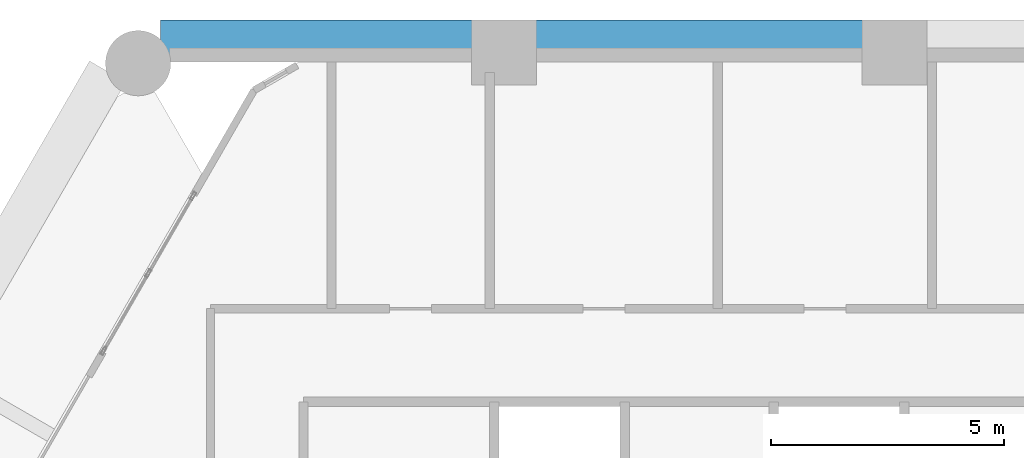
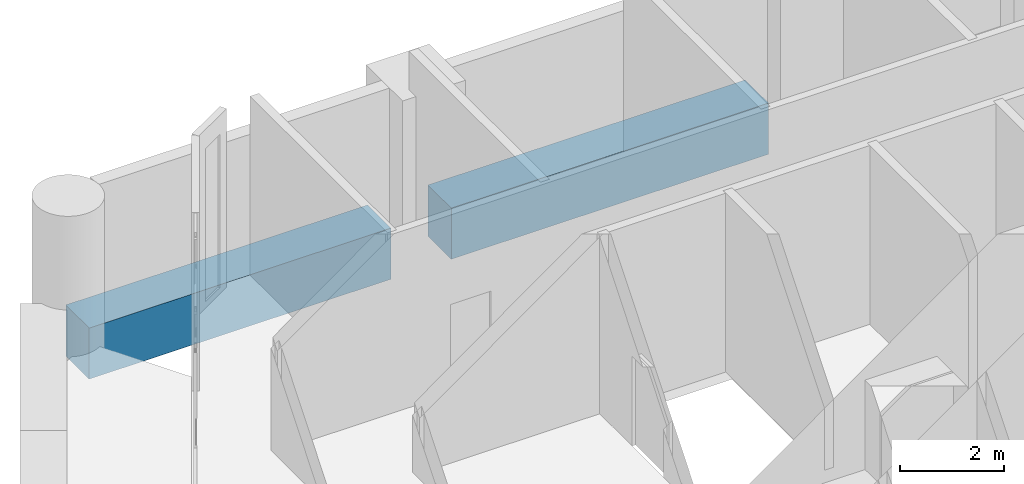
# One storey, part 10 of 18: 2 beams.
"""IFC4 building model written with IfcOpenShell, lengths in metres."""

from ifc_helpers import new_model, si_unit, direction, frame, origin, origin_2d, place, context, subcontext, project, spatial, rectangle, extrude, material, material_profile, profile_set, type_object, element, save


model = new_model("IFC4")

# Units and contexts
model_context = context("Model", 3, precision=1e-05, world=origin(), true_north=direction((0.0, 1.0)))
body_context = subcontext(model_context, "Body", "Model", "MODEL_VIEW")
ifc_project = project(units=[si_unit("LENGTHUNIT", "METRE"), si_unit("AREAUNIT", "SQUARE_METRE"), si_unit("VOLUMEUNIT", "CUBIC_METRE"), si_unit("PLANEANGLEUNIT", "RADIAN"), si_unit("MASSUNIT", "GRAM", prefix="KILO")], contexts=[model_context])

# Site, building, storey
site_placement = place(None, origin())
site = spatial("IfcSite", under=ifc_project, at=site_placement, CompositionType="ELEMENT")
building_placement = place(site_placement, origin())
building = spatial("IfcBuilding", under=site, at=building_placement, Name="Ostrander Bayou Hotel Tower", CompositionType="ELEMENT")
storey_placement = place(building_placement, frame((0.0, 0.0, 19.0)))
storey = spatial("IfcBuildingStorey", under=building, at=storey_placement, Name="L04", CompositionType="ELEMENT", Elevation=19.0)

# Beams
ifc_material = material(Name="Concrete f'c 70 MPa", Category="concrete")
ifc_material_profile = material_profile(ifc_material, rectangle(XDim=0.89990234375, YDim=1.199951171875, at=origin_2d()))
ifc_profile_set = profile_set([ifc_material_profile], Name="Concrete f'c 70 MPa")
beam_type = type_object("IfcBeamType", Name="SP1 spandrel beam 900 x 1200 mm f'c 70 MPa", PredefinedType="SPANDREL", material=ifc_profile_set)
beam_1_placement = place(storey_placement, frame((3.525390625, 21.35009765625, -0.60009765625), z_axis=(-1.0, 0.0, 0.0), x_axis=(0.0, -1.0, 0.0)))
element("IfcBeam", 1, at=beam_1_placement, inside=storey, type_object=beam_type, Name="SP1 L04 N-2", PredefinedType="SPANDREL", context=body_context, shape_type="SweptSolid", body=[
    extrude(rectangle(XDim=0.89990234375, YDim=1.199951171875, at=origin_2d()), origin(), (0.0, 0.0, 1.0), 7.05078125),
])
beam_2_placement = place(storey_placement, frame((-4.865478515625, 21.35009765625, -0.60009765625), z_axis=(-1.0, 0.0, 0.0), x_axis=(0.0, -1.0, 0.0)))
element("IfcBeam", 2, at=beam_2_placement, inside=storey, type_object=beam_type, Name="SP1 L04 N-3", PredefinedType="SPANDREL", context=body_context, shape_type="SweptSolid", body=[
    extrude(rectangle(XDim=0.89990234375, YDim=1.199951171875, at=origin_2d()), origin(), (0.0, 0.0, 1.0), 6.70361328125),
])

save(model, "model.ifc")
